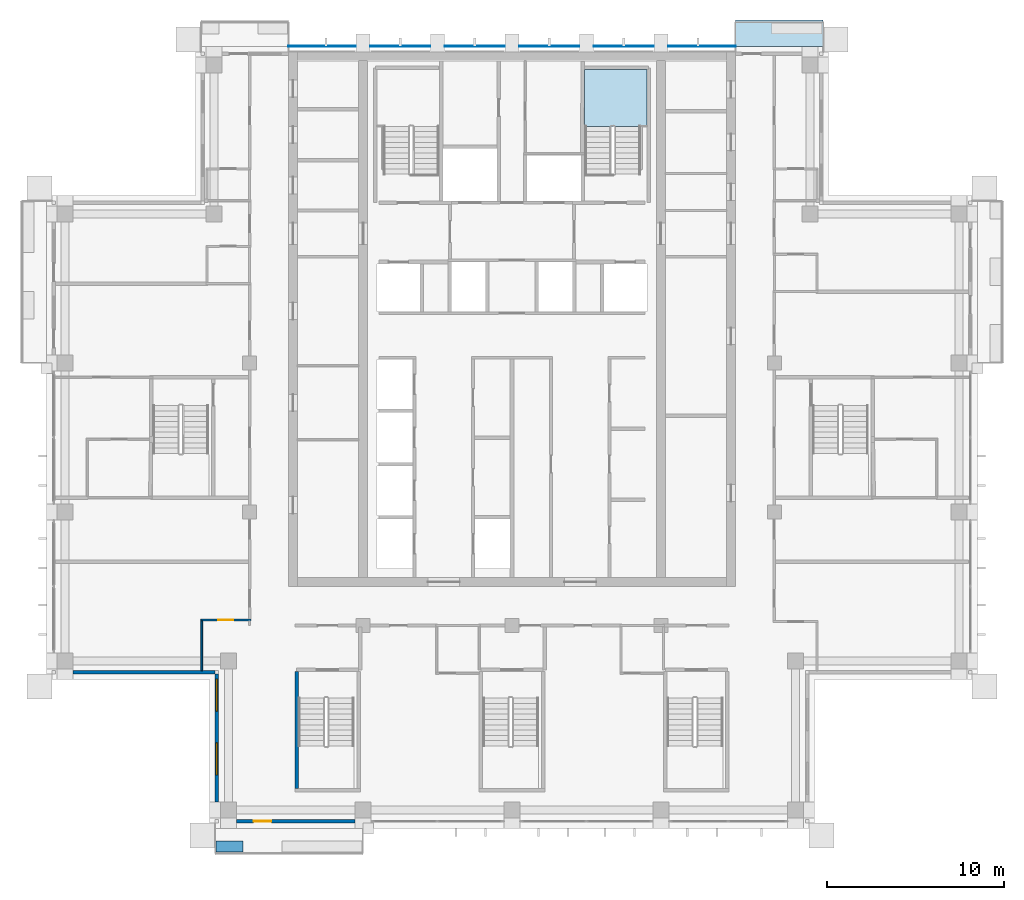
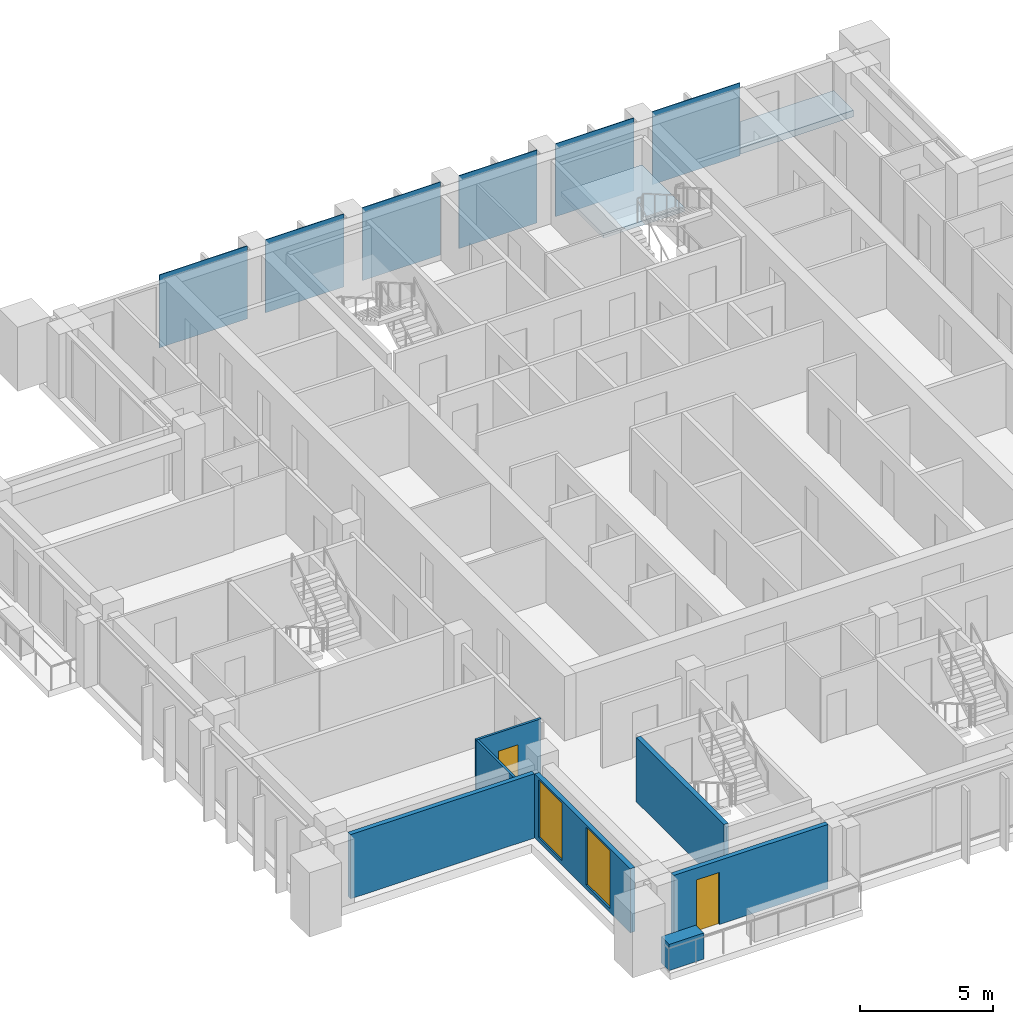
# One storey, part 7 of 18: 7 walls, 6 plates, 2 doors, 2 slabs, 2 windows, 4 openings, 1 element without a shape of its own.
"""IFC4 building model written with IfcOpenShell, lengths in metres."""

from ifc_helpers import new_model, si_unit, direction, frame, frame_2d, origin, origin_2d, place, context, subcontext, project, spatial, polyline, rectangle, outline, extrude, material, layer, layer_set, type_object, element, fill, aggregate, save


model = new_model("IFC4")

# Units and contexts
model_context = context("Model", 3, precision=1e-05, world=origin(), true_north=direction((0.0, 1.0)))
body_context = subcontext(model_context, "Body", "Model", "MODEL_VIEW")
ifc_project = project(units=[si_unit("LENGTHUNIT", "METRE"), si_unit("AREAUNIT", "SQUARE_METRE"), si_unit("VOLUMEUNIT", "CUBIC_METRE"), si_unit("PLANEANGLEUNIT", "RADIAN"), si_unit("MASSUNIT", "GRAM", prefix="KILO")], contexts=[model_context])

# Site, building, storey
site_placement = place(None, origin())
site = spatial("IfcSite", under=ifc_project, at=site_placement, CompositionType="ELEMENT")
building_placement = place(site_placement, origin())
building = spatial("IfcBuilding", under=site, at=building_placement, Name="Vermilion Ogive Tower", CompositionType="ELEMENT")
storey_placement = place(building_placement, frame((0.0, 0.0, 261.39990234375)))
storey = spatial("IfcBuildingStorey", under=building, at=storey_placement, Name="L69", CompositionType="ELEMENT", Elevation=261.39990234375)

# Slab
ifc_material_1 = material(Name="Concrete B40", Category="concrete")
ifc_layer_1 = layer(ifc_material_1, 0.300048828125)
ifc_layer_set_1 = layer_set([ifc_layer_1], Name="Balcony slab")
slab_type_1 = type_object("IfcSlabType", Name="Balcony slab", PredefinedType="FLOOR", material=ifc_layer_set_1)
slab_1_placement = place(storey_placement, frame((0.0, 0.0, -0.33984375)))
element("IfcSlab", 1, at=slab_1_placement, inside=storey, type_object=slab_type_1, Name="Balcony slab N101", PredefinedType="FLOOR", context=body_context, shape_type="SweptSolid", body=[
    extrude(outline(polyline([(17.550048828125, 23.548095703125), (12.60009765625, 23.548095703125), (12.60009765625, 22.050048828125), (17.550048828125, 22.050048828125), (17.550048828125, 23.548095703125)])), origin(), (0.0, 0.0, 1.0), 0.300048828125),
])

# Plates
ifc_material_2 = material(Name="Low-iron laminated glazing in aluminium frame", Category="aluminium")
ifc_layer_2 = layer(ifc_material_2, 0.031982421875)
ifc_layer_set_2 = layer_set([ifc_layer_2], Name="Glazed rainscreen sheet 32")
plate_type = type_object("IfcPlateType", Name="Glazed rainscreen sheet 32", PredefinedType="SHEET", material=ifc_layer_set_2)
plate_1_placement = place(storey_placement, frame((-10.7099609375, 22.06591796875, -0.39990234375), z_axis=(0.0, 0.0, 1.0), x_axis=(1.0, 0.0, 0.0)))
element("IfcPlate", 2, at=plate_1_placement, inside=storey, type_object=plate_type, Name="Glazed rainscreen sheet N1", PredefinedType="SHEET", context=body_context, shape_type="SweptSolid", body=[
    extrude(rectangle(XDim=3.820068359375, YDim=0.031982421875, at=origin_2d()), origin(), (0.0, 0.0, 1.0), 3.35009765625),
])
for number, where, z_axis, x_axis, name in (
    (3, (-6.300048828125, 22.06591796875, -0.39990234375), (0.0, 0.0, 1.0), (1.0, 0.0, 0.0), "Glazed rainscreen sheet N2"),
    (4, (-2.10009765625, 22.06591796875, -0.39990234375), (0.0, 0.0, 1.0), (1.0, 0.0, 0.0), "Glazed rainscreen sheet N3"),
    (5, (2.10009765625, 22.06591796875, -0.39990234375), (0.0, 0.0, 1.0), (1.0, 0.0, 0.0), "Glazed rainscreen sheet N4"),
    (6, (6.300048828125, 22.06591796875, -0.39990234375), (0.0, 0.0, 1.0), (1.0, 0.0, 0.0), "Glazed rainscreen sheet N5"),
):
    element("IfcPlate", number, at=place(storey_placement, frame(where, z_axis=z_axis, x_axis=x_axis)), inside=storey, type_object=plate_type, Name=name, PredefinedType="SHEET", context=body_context, shape_type="SweptSolid", body=[
        extrude(rectangle(XDim=3.39990234375, YDim=0.031982421875, at=origin_2d()), origin(), (0.0, 0.0, 1.0), 3.35009765625),
    ])
plate_2_placement = place(storey_placement, frame((10.7099609375, 22.06591796875, -0.39990234375), z_axis=(0.0, 0.0, 1.0), x_axis=(1.0, 0.0, 0.0)))
element("IfcPlate", 7, at=plate_2_placement, inside=storey, type_object=plate_type, Name="Glazed rainscreen sheet N6", PredefinedType="SHEET", context=body_context, shape_type="SweptSolid", body=[
    extrude(rectangle(XDim=3.820068359375, YDim=0.031982421875, at=origin_2d()), origin(), (0.0, 0.0, 1.0), 3.35009765625),
])

# Stair, slab
ifc_material_3 = material(Name="Concrete B40", Category="concrete")
stair_type = type_object("IfcStairType", Name="Exit stair 1500", PredefinedType="HALF_TURN_STAIR", material=ifc_material_3)
stair_placement = place(storey_placement, origin())
stair = element("IfcStair", 8, at=stair_placement, inside=storey, type_object=stair_type, Name="L69 Exit Stair ST2", PredefinedType="HALF_TURN_STAIR")
ifc_material_4 = material(Name="Concrete B40", Category="concrete")
ifc_layer_3 = layer(ifc_material_4, 0.199951171875)
ifc_layer_set_3 = layer_set([ifc_layer_3], Name="Stair landing 200")
slab_type_2 = type_object("IfcSlabType", Name="Stair landing 200", PredefinedType="LANDING", material=ifc_layer_set_3)
slab_2_placement = place(storey_placement, frame((0.0, 0.0, 1.525146484375)))
slab_2 = element("IfcSlab", 9, at=slab_2_placement, type_object=slab_type_2, Name="ST2 landing 1", PredefinedType="LANDING", context=body_context, shape_type="SweptSolid", body=[
    extrude(outline(polyline([(5.60009765625, 17.550048828125), (5.75, 17.550048828125), (5.75, 17.548095703125), (7.25, 17.548095703125), (7.25, 17.550048828125), (7.60009765625, 17.550048828125), (7.60009765625, 20.75), (4.074951171875, 20.75), (4.074951171875, 17.550048828125), (4.10009765625, 17.550048828125), (4.10009765625, 17.548095703125), (5.60009765625, 17.548095703125), (5.60009765625, 17.550048828125)])), origin(), (0.0, 0.0, 1.0), 0.199951171875),
])
aggregate(stair, [slab_2])

# Wall, opening, door
ifc_material_5 = material(Name="Gypsum board partition on steel studs", Category="steel")
ifc_layer_4 = layer(ifc_material_5, 0.10009765625)
ifc_layer_set_4 = layer_set([ifc_layer_4], Name="Partition 100 bath")
wall_type_1 = type_object("IfcWallType", Name="Partition 100 bath", PredefinedType="PARTITIONING", material=ifc_layer_set_4)
wall_1_placement = place(storey_placement, frame((-17.550048828125, -10.2900390625, 0.0), z_axis=(0.0, 0.0, 1.0), x_axis=(1.0, 0.0, 0.0)))
wall_1 = element("IfcWall", 10, at=wall_1_placement, inside=storey, type_object=wall_type_1, Name="L69-W-W012", PredefinedType="PARTITIONING", context=body_context, shape_type="SweptSolid", body=[
    extrude(rectangle(XDim=2.824951171875, YDim=0.10009765625, at=frame_2d((1.41259765625, 0.0))), origin(), (0.0, 0.0, 1.0), 2.9501953125),
])
opening_1_placement = place(wall_1_placement, frame((0.97509765625, 0.0, 0.0)))
opening_1 = element("IfcOpeningElement", 11, at=opening_1_placement, cuts=wall_1, Name="Opening D5G6002", PredefinedType="OPENING", context=body_context, shape_type="SweptSolid", body=[
    extrude(rectangle(XDim=0.85009765625, YDim=2.10009765625, at=frame_2d((0.425048828125, 1.050048828125))), frame((0.0, 0.06005859375, 0.0), z_axis=(0.0, -1.0, 0.0), x_axis=(1.0, 0.0, 0.0)), (0.0, 0.0, 1.0), 0.1201171875),
])
ifc_material_6 = material(Name="Timber door leaf", Category="wood")
door_type_1 = type_object("IfcDoorType", Name="Bath door 850 x 2100 FD30", OperationType="SINGLE_SWING_LEFT", PredefinedType="DOOR", material=ifc_material_6)
door_1_placement = place(opening_1_placement, origin())
door_1 = element("IfcDoor", 12, at=door_1_placement, inside=storey, type_object=door_type_1, Name="L69-D-D002", OperationType="SINGLE_SWING_RIGHT", OverallHeight=2.10009765625, OverallWidth=0.85009765625, PredefinedType="DOOR", context=body_context, shape_type="SweptSolid", body=[
    extrude(rectangle(XDim=0.85009765625, YDim=2.10009765625, at=frame_2d((0.425048828125, 1.050048828125))), frame((0.0, 0.02490234375, 0.0), z_axis=(0.0, -1.0, 0.0), x_axis=(1.0, 0.0, 0.0)), (0.0, 0.0, 1.0), 0.050048828125),
])
fill(opening_1, door_1)

# Walls
wall_2_placement = place(storey_placement, frame((-17.5, -13.14990234375, 0.0), z_axis=(0.0, 0.0, 1.0), x_axis=(0.0, 1.0, 0.0)))
element("IfcWall", 13, at=wall_2_placement, inside=storey, type_object=wall_type_1, Name="L69-W-W042", PredefinedType="PARTITIONING", context=body_context, shape_type="SweptSolid", body=[
    extrude(rectangle(XDim=2.809814453125, YDim=0.10009765625, at=frame_2d((1.40478515625, 0.0))), origin(), (0.0, 0.0, 1.0), 2.9501953125),
])
ifc_material_7 = material(Name="Concrete B60", Category="concrete")
ifc_layer_5 = layer(ifc_material_7, 0.199951171875)
ifc_layer_set_5 = layer_set([ifc_layer_5], Name="Stair shaft wall 200 Concrete B60")
wall_type_2 = type_object("IfcWallType", Name="Stair shaft wall 200 Concrete B60", PredefinedType="SOLIDWALL", material=ifc_layer_set_5)
wall_3_placement = place(storey_placement, frame((-12.14990234375, -19.800048828125, 0.0), z_axis=(0.0, 0.0, 1.0), x_axis=(0.0, 1.0, 0.0)))
element("IfcWall", 14, at=wall_3_placement, inside=storey, type_object=wall_type_2, Name="L69-SW-ST3-W1", PredefinedType="SOLIDWALL", context=body_context, shape_type="SweptSolid", body=[
    extrude(rectangle(XDim=6.60009765625, YDim=0.199951171875, at=frame_2d((3.300048828125, 0.0))), origin(), (0.0, 0.0, 1.0), 2.9501953125),
])
ifc_material_8 = material(Name="Concrete B40", Category="concrete")
ifc_layer_6 = layer(ifc_material_8, 0.60009765625)
ifc_layer_set_6 = layer_set([ifc_layer_6], Name="Structural planter")
wall_type_3 = type_object("IfcWallType", Name="Structural planter", PredefinedType="USERDEFINED", material=ifc_layer_set_6)
wall_4_placement = place(storey_placement, frame((-16.68994140625, -23.068115234375, -0.039794921875), z_axis=(0.0, 0.0, 1.0), x_axis=(1.0, 0.0, 0.0)))
element("IfcWall", 15, at=wall_4_placement, inside=storey, type_object=wall_type_3, Name="Planter S01A1", ObjectType="PLANTER", PredefinedType="USERDEFINED", context=body_context, shape_type="SweptSolid", body=[
    extrude(rectangle(XDim=1.514892578125, YDim=0.60009765625, at=frame_2d((0.75732421875, 0.0))), origin(), (0.0, 0.0, 1.0), 1.199951171875),
])

# Wall, opening, door
ifc_material_9 = material(Name="Aluminium window wall framing", Category="aluminium")
ifc_layer_7 = layer(ifc_material_9, 0.199951171875)
ifc_layer_set_7 = layer_set([ifc_layer_7], Name="Window wall")
wall_type_4 = type_object("IfcWallType", Name="Window wall", PredefinedType="STANDARD", material=ifc_layer_set_7)
wall_5_placement = place(storey_placement, frame((-15.550048828125, -21.64990234375, 0.0), z_axis=(0.0, 0.0, 1.0), x_axis=(1.0, 0.0, 0.0)))
wall_5 = element("IfcWall", 16, at=wall_5_placement, inside=storey, type_object=wall_type_4, Name="Window wall S1", PredefinedType="STANDARD", context=body_context, shape_type="SweptSolid", body=[
    extrude(rectangle(XDim=6.699951171875, YDim=0.199951171875, at=frame_2d((3.35009765625, 0.0))), origin(), (0.0, 0.0, 1.0), 2.9501953125),
])
opening_2_placement = place(wall_5_placement, frame((0.97509765625, 0.0, 0.0)))
opening_2 = element("IfcOpeningElement", 17, at=opening_2_placement, cuts=wall_5, Name="Opening D1-S96K", PredefinedType="OPENING", context=body_context, shape_type="SweptSolid", body=[
    extrude(rectangle(XDim=1.0, YDim=2.39990234375, at=frame_2d((0.5, 1.199951171875))), frame((0.0, 0.10986328125, 0.0), z_axis=(0.0, -1.0, 0.0), x_axis=(1.0, 0.0, 0.0)), (0.0, 0.0, 1.0), 0.219970703125),
])
ifc_material_10 = material(Name="Aluminium framed glazed door", Category="aluminium")
door_type_2 = type_object("IfcDoorType", Name="Balcony door D1", OperationType="SINGLE_SWING_LEFT", PredefinedType="DOOR", material=ifc_material_10)
door_2_placement = place(opening_2_placement, origin())
door_2 = element("IfcDoor", 18, at=door_2_placement, inside=storey, type_object=door_type_2, Name="Balcony door S96K", OperationType="SINGLE_SWING_LEFT", OverallHeight=2.39990234375, OverallWidth=1.0, PredefinedType="DOOR", context=body_context, shape_type="SweptSolid", body=[
    extrude(rectangle(XDim=1.0, YDim=2.39990234375, at=frame_2d((0.5, 1.199951171875))), frame((0.0, 0.02490234375, 0.0), z_axis=(0.0, -1.0, 0.0), x_axis=(1.0, 0.0, 0.0)), (0.0, 0.0, 1.0), 0.050048828125),
])
fill(opening_2, door_2)

# Wall
wall_6_placement = place(storey_placement, frame((-24.75, -13.25, 0.0), z_axis=(0.0, 0.0, 1.0), x_axis=(1.0, 0.0, 0.0)))
element("IfcWall", 19, at=wall_6_placement, inside=storey, type_object=wall_type_4, Name="Window wall X71", PredefinedType="STANDARD", context=body_context, shape_type="SweptSolid", body=[
    extrude(rectangle(XDim=8.0, YDim=0.199951171875, at=frame_2d((4.0, 0.0))), origin(), (0.0, 0.0, 1.0), 2.9501953125),
])

# Wall, openings, windows
wall_7_placement = place(storey_placement, frame((-16.64990234375, -13.35009765625, 0.0), z_axis=(0.0, 0.0, 1.0), x_axis=(0.0, -1.0, 0.0)))
wall_7 = element("IfcWall", 20, at=wall_7_placement, inside=storey, type_object=wall_type_4, Name="Window wall X81", PredefinedType="STANDARD", context=body_context, shape_type="SweptSolid", body=[
    extrude(rectangle(XDim=7.199951171875, YDim=0.199951171875, at=frame_2d((3.60009765625, 0.0))), origin(), (0.0, 0.0, 1.0), 2.9501953125),
])
opening_3_placement = place(wall_7_placement, frame((3.875, 0.0, 0.199951171875)))
opening_3 = element("IfcOpeningElement", 21, at=opening_3_placement, cuts=wall_7, Name="Opening W1-X895", PredefinedType="OPENING", context=body_context, shape_type="SweptSolid", body=[
    extrude(rectangle(XDim=1.800048828125, YDim=2.64990234375, at=frame_2d((0.89990234375, 1.324951171875))), frame((0.0, 0.10986328125, 0.0), z_axis=(0.0, -1.0, 0.0), x_axis=(1.0, 0.0, 0.0)), (0.0, 0.0, 1.0), 0.219970703125),
])
opening_4_placement = place(wall_7_placement, frame((0.27490234375, 0.0, 0.199951171875)))
opening_4 = element("IfcOpeningElement", 22, at=opening_4_placement, cuts=wall_7, Name="Opening W1-X896", PredefinedType="OPENING", context=body_context, shape_type="SweptSolid", body=[
    extrude(rectangle(XDim=1.800048828125, YDim=2.64990234375, at=frame_2d((0.89990234375, 1.324951171875))), frame((0.0, 0.10986328125, 0.0), z_axis=(0.0, -1.0, 0.0), x_axis=(1.0, 0.0, 0.0)), (0.0, 0.0, 1.0), 0.219970703125),
])
ifc_material_11 = material(Name="Aluminium framed double glazing", Category="aluminium")
window_type = type_object("IfcWindowType", Name="Guest window W1", PartitioningType="SINGLE_PANEL", PredefinedType="WINDOW", material=ifc_material_11)
window_1_placement = place(opening_3_placement, origin())
window_1 = element("IfcWindow", 23, at=window_1_placement, inside=storey, type_object=window_type, Name="Window X895", OverallHeight=2.64990234375, OverallWidth=1.800048828125, PartitioningType="SINGLE_PANEL", PredefinedType="WINDOW", context=body_context, shape_type="SweptSolid", body=[
    extrude(rectangle(XDim=1.800048828125, YDim=2.64990234375, at=frame_2d((0.89990234375, 1.324951171875))), frame((0.0, 0.030029296875, 0.0), z_axis=(0.0, -1.0, 0.0), x_axis=(1.0, 0.0, 0.0)), (0.0, 0.0, 1.0), 0.06005859375),
])
fill(opening_3, window_1)
window_2_placement = place(opening_4_placement, origin())
window_2 = element("IfcWindow", 24, at=window_2_placement, inside=storey, type_object=window_type, Name="Window X896", OverallHeight=2.64990234375, OverallWidth=1.800048828125, PartitioningType="SINGLE_PANEL", PredefinedType="WINDOW", context=body_context, shape_type="SweptSolid", body=[
    extrude(rectangle(XDim=1.800048828125, YDim=2.64990234375, at=frame_2d((0.89990234375, 1.324951171875))), frame((0.0, 0.030029296875, 0.0), z_axis=(0.0, -1.0, 0.0), x_axis=(1.0, 0.0, 0.0)), (0.0, 0.0, 1.0), 0.06005859375),
])
fill(opening_4, window_2)

save(model, "model.ifc")
